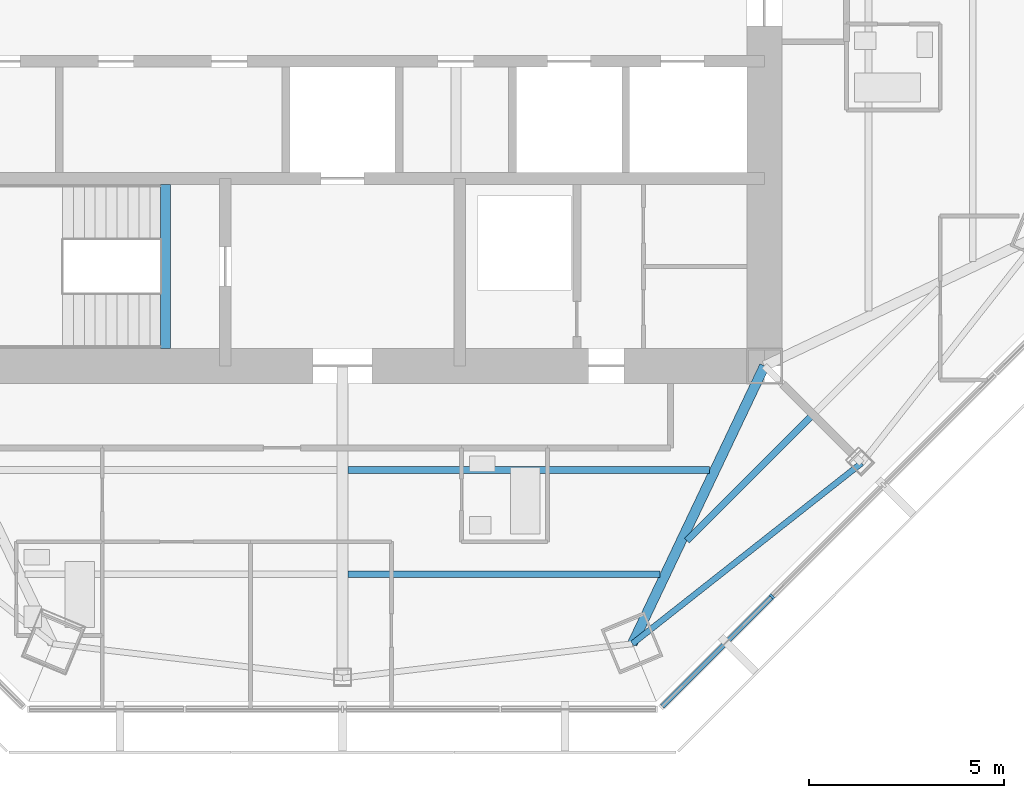
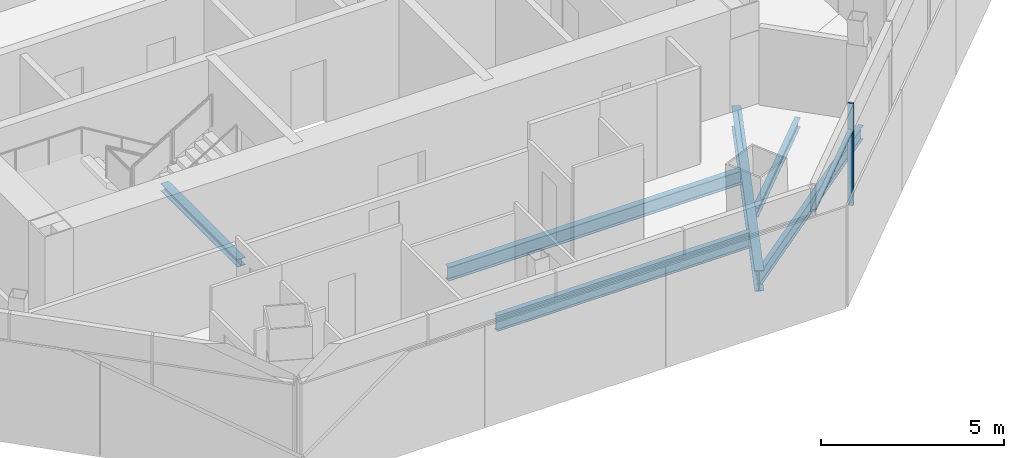
# One storey, part 3 of 15: 6 beams, 2 members, 1 element without a shape of its own.
"""IFC4 building model written with IfcOpenShell, lengths in metres."""

from ifc_helpers import new_model, si_unit, direction, frame, origin, origin_2d, place, context, subcontext, project, spatial, rectangle, i_section, extrude, source, transform, mapped, material, material_profile, profile_set, type_object, type_shapes, element, aggregate, save


model = new_model("IFC4")

# Units and contexts
model_context = context("Model", 3, precision=1e-05, world=origin(), true_north=direction((0.0, 1.0)))
body_context = subcontext(model_context, "Body", "Model", "MODEL_VIEW")
ifc_project = project(units=[si_unit("LENGTHUNIT", "METRE"), si_unit("AREAUNIT", "SQUARE_METRE"), si_unit("VOLUMEUNIT", "CUBIC_METRE"), si_unit("PLANEANGLEUNIT", "RADIAN"), si_unit("MASSUNIT", "GRAM", prefix="KILO")], contexts=[model_context])

# Site, building, storey
site_placement = place(None, origin())
site = spatial("IfcSite", under=ifc_project, at=site_placement, CompositionType="ELEMENT")
building_placement = place(site_placement, origin())
building = spatial("IfcBuilding", under=site, at=building_placement, Name="Mashrafa Tower", CompositionType="ELEMENT")
storey_placement = place(building_placement, frame((0.0, 0.0, 298.0)))
storey = spatial("IfcBuildingStorey", under=building, at=storey_placement, Name="L73", CompositionType="ELEMENT", Elevation=298.0)

# Beams
ifc_material_1 = material(Name="Steel ASTM A992", Category="steel")
ifc_material_profile_1 = material_profile(ifc_material_1, i_section(OverallWidth=0.164794921875, OverallDepth=0.309814453125, WebThickness=0.005859375, FlangeThickness=0.009765625, FilletRadius=0.007568359375, at=origin_2d()), Name="W12X26")
ifc_profile_set_1 = profile_set([ifc_material_profile_1], Name="Steel ASTM A992")
beam_type_1 = type_object("IfcBeamType", Name="Beam W12X26", PredefinedType="BEAM", material=ifc_profile_set_1)
beam_1_placement = place(storey_placement, frame((11.98046875, -12.1064453125, -0.35498046875), z_axis=(-0.707134074703, -0.707079486616, 0.0), x_axis=(0.707079486616, -0.707134074703, 0.0)))
element("IfcBeam", 1, at=beam_1_placement, inside=storey, type_object=beam_type_1, Name="Floor beam L73 018", PredefinedType="BEAM", context=body_context, shape_type="SweptSolid", body=[
    extrude(i_section(OverallWidth=0.164794921875, OverallDepth=0.309814453125, WebThickness=0.005859375, FlangeThickness=0.009765625, FilletRadius=0.007568359375, at=origin_2d()), origin(), (0.0, 0.0, 1.0), 4.472412109375),
])
ifc_material_2 = material(Name="Steel ASTM A992", Category="steel")
ifc_material_profile_2 = material_profile(ifc_material_2, i_section(OverallWidth=0.15234375, OverallDepth=0.449462890625, WebThickness=0.007568359375, FlangeThickness=0.0107421875, FilletRadius=0.01025390625, at=origin_2d()), Name="W18X35")
ifc_profile_set_2 = profile_set([ifc_material_profile_2], Name="Steel ASTM A992")
beam_type_2 = type_object("IfcBeamType", Name="Beam W18X35", PredefinedType="BEAM", material=ifc_profile_set_2)
beam_2_placement = place(storey_placement, frame((7.41943359375, -17.912109375, -0.4248046875), z_axis=(0.785334240221, 0.619071991885, 0.0), x_axis=(-0.619071991885, 0.785334240221, 0.0)))
element("IfcBeam", 2, at=beam_2_placement, inside=storey, type_object=beam_type_2, Name="Spandrel beam L73 050", PredefinedType="BEAM", context=body_context, shape_type="SweptSolid", body=[
    extrude(i_section(OverallWidth=0.15234375, OverallDepth=0.449462890625, WebThickness=0.007568359375, FlangeThickness=0.0107421875, FilletRadius=0.01025390625, at=origin_2d()), origin(), (0.0, 0.0, 1.0), 7.47119140625),
])
ifc_material_3 = material(Name="Steel ASTM A992", Category="steel")
ifc_material_profile_3 = material_profile(ifc_material_3, i_section(OverallWidth=0.191162109375, OverallDepth=0.459716796875, WebThickness=0.010009765625, FlangeThickness=0.01611328125, FilletRadius=0.01025390625, at=origin_2d()), Name="W18X55")
ifc_profile_set_3 = profile_set([ifc_material_profile_3], Name="Steel ASTM A992")
beam_type_3 = type_object("IfcBeamType", Name="Beam W18X55", PredefinedType="BEAM", material=ifc_profile_set_3)
beam_3_placement = place(storey_placement, frame((9.39208984375, -13.46337890625, -0.429931640625), z_axis=(-1.0, 0.0, 0.0), x_axis=(0.0, -1.0, 0.0)))
element("IfcBeam", 3, at=beam_3_placement, inside=storey, type_object=beam_type_3, Name="Floor beam L73 017", PredefinedType="BEAM", context=body_context, shape_type="SweptSolid", body=[
    extrude(i_section(OverallWidth=0.191162109375, OverallDepth=0.459716796875, WebThickness=0.010009765625, FlangeThickness=0.01611328125, FilletRadius=0.01025390625, at=origin_2d()), origin(), (0.0, 0.0, 1.0), 9.24609375),
])
ifc_material_4 = material(Name="Steel ASTM A992", Category="steel")
ifc_material_profile_4 = material_profile(ifc_material_4, i_section(OverallWidth=0.165771484375, OverallDepth=0.5283203125, WebThickness=0.009765625, FlangeThickness=0.013671875, FilletRadius=0.012939453125, at=origin_2d()), Name="W21X50")
ifc_profile_set_4 = profile_set([ifc_material_profile_4], Name="Steel ASTM A992")
beam_type_4 = type_object("IfcBeamType", Name="Beam W21X50", PredefinedType="BEAM", material=ifc_profile_set_4)
beam_4_placement = place(storey_placement, frame((8.126220703125, -16.126953125, -0.464111328125), z_axis=(-1.0, 0.0, 0.0), x_axis=(0.0, -1.0, 0.0)))
element("IfcBeam", 4, at=beam_4_placement, inside=storey, type_object=beam_type_4, Name="Floor beam L73 015", PredefinedType="BEAM", context=body_context, shape_type="SweptSolid", body=[
    extrude(i_section(OverallWidth=0.165771484375, OverallDepth=0.5283203125, WebThickness=0.009765625, FlangeThickness=0.013671875, FilletRadius=0.012939453125, at=origin_2d()), origin(), (0.0, 0.0, 1.0), 7.980224609375),
])
ifc_material_5 = material(Name="Steel ASTM A992", Category="steel")
ifc_material_profile_5 = material_profile(ifc_material_5, i_section(OverallWidth=0.256591796875, OverallDepth=0.693359375, WebThickness=0.014404296875, FlangeThickness=0.023681640625, FilletRadius=0.01513671875, at=origin_2d()), Name="W27X114")
ifc_profile_set_5 = profile_set([ifc_material_profile_5], Name="Steel ASTM A992")
beam_type_5 = type_object("IfcBeamType", Name="Beam W27X114", PredefinedType="BEAM", material=ifc_profile_set_5)
beam_5_placement = place(storey_placement, frame((10.800048828125, -10.800048828125, -0.546630859375), z_axis=(-0.429304066805, -0.903160018061, 0.0), x_axis=(0.903160018061, -0.429304066805, 0.0)))
element("IfcBeam", 5, at=beam_5_placement, inside=storey, type_object=beam_type_5, Name="Radial girder L73 034", PredefinedType="BEAM", context=body_context, shape_type="SweptSolid", body=[
    extrude(i_section(OverallWidth=0.256591796875, OverallDepth=0.693359375, WebThickness=0.014404296875, FlangeThickness=0.023681640625, FilletRadius=0.01513671875, at=origin_2d()), origin(), (0.0, 0.0, 1.0), 7.874755859375),
])
ifc_material_6 = material(Name="Steel ASTM A992", Category="steel")
ifc_material_profile_6 = material_profile(ifc_material_6, i_section(OverallWidth=0.25390625, OverallDepth=0.25390625, WebThickness=0.008544921875, FlangeThickness=0.01416015625, FilletRadius=0.010009765625, at=origin_2d()), Name="W10X49")
ifc_profile_set_6 = profile_set([ifc_material_profile_6], Name="Steel ASTM A992")
beam_type_6 = type_object("IfcBeamType", Name="Hoistway beam W10X49", PredefinedType="BEAM", material=ifc_profile_set_6)
beam_6_placement = place(storey_placement, frame((-4.530029296875, -10.35009765625, -0.326904296875), z_axis=(0.0, 1.0, 0.0), x_axis=(-1.0, 0.0, 0.0)))
element("IfcBeam", 6, at=beam_6_placement, inside=storey, type_object=beam_type_6, Name="Stair S3 landing beam L73", PredefinedType="BEAM", context=body_context, shape_type="SweptSolid", body=[
    extrude(i_section(OverallWidth=0.25390625, OverallDepth=0.25390625, WebThickness=0.008544921875, FlangeThickness=0.01416015625, FilletRadius=0.010009765625, at=origin_2d()), origin(), (0.0, 0.0, 1.0), 4.2001953125),
])

# Curtain wall, members
ifc_material_7 = material(Name="Unitised aluminium curtain wall", Category="aluminium")
curtain_wall_type = type_object("IfcCurtainWallType", Name="Apartment curtain wall, zone 4 CW-D 160 deep", PredefinedType="NOTDEFINED", material=ifc_material_7)
curtain_wall_placement = place(storey_placement, origin())
curtain_wall = element("IfcCurtainWall", 7, at=curtain_wall_placement, inside=storey, type_object=curtain_wall_type, Name="Apartment curtain wall, zone 4 L73 south-east", PredefinedType="NOTDEFINED")
ifc_material_8 = material(Name="Extruded aluminium mullion", Category="aluminium")
ifc_material_profile_7 = material_profile(ifc_material_8, rectangle(XDim=0.159912109375, YDim=0.06005859375, at=origin_2d()), Name="Mullion 60x160")
ifc_profile_set_7 = profile_set([ifc_material_profile_7], Name="Extruded aluminium mullion")
member_type_1 = type_object("IfcMemberType", Name="Mullion CW-D 60 x 160", PredefinedType="MULLION", material=ifc_profile_set_7)
shared_shape_1 = source(origin(), body_context, "Body", "SweptSolid", [
    extrude(rectangle(XDim=0.159912109375, YDim=0.06005859375, at=origin_2d()), origin(), (0.0, 0.0, 1.0), 3.39990234375),
])
type_shapes(member_type_1, [shared_shape_1])
member_1_placement = place(storey_placement, frame((10.99560546875, -16.701416015625, 0.0), z_axis=(0.0, 0.0, 1.0), x_axis=(-0.707106781187, 0.707106781187, 0.0)))
member_1 = element("IfcMember", 8, at=member_1_placement, type_object=member_type_1, Name="CW-D mullion 2", PredefinedType="MULLION", context=body_context, shape_type="MappedRepresentation", body=[
    mapped(shared_shape_1, transform((0.0, 0.0, 0.0))),
])
ifc_material_9 = material(Name="Extruded aluminium transom", Category="aluminium")
ifc_material_profile_8 = material_profile(ifc_material_9, rectangle(XDim=0.1279296875, YDim=0.074951171875, at=origin_2d()), Name="Transom 75x128")
ifc_profile_set_8 = profile_set([ifc_material_profile_8], Name="Extruded aluminium transom")
member_type_2 = type_object("IfcMemberType", Name="Transom CW-D 75 x 128", PredefinedType="MULLION", material=ifc_profile_set_8)
shared_shape_2 = source(origin(), body_context, "Body", "SweptSolid", [
    extrude(rectangle(XDim=0.1279296875, YDim=0.074951171875, at=origin_2d()), origin(), (0.0, 0.0, 1.0), 3.9443359375),
])
type_shapes(member_type_2, [shared_shape_2])
member_2_placement = place(storey_placement, frame((8.185302734375, -19.51171875, 2.5), z_axis=(0.707106781187, 0.707106781187, 0.0), x_axis=(-0.707106781187, 0.707106781187, 0.0)))
member_2 = element("IfcMember", 9, at=member_2_placement, type_object=member_type_2, Name="CW-D transom 1", PredefinedType="MULLION", context=body_context, shape_type="MappedRepresentation", body=[
    mapped(shared_shape_2, transform((0.0, 0.0, 0.0))),
])
aggregate(curtain_wall, [member_1, member_2])

save(model, "model.ifc")
